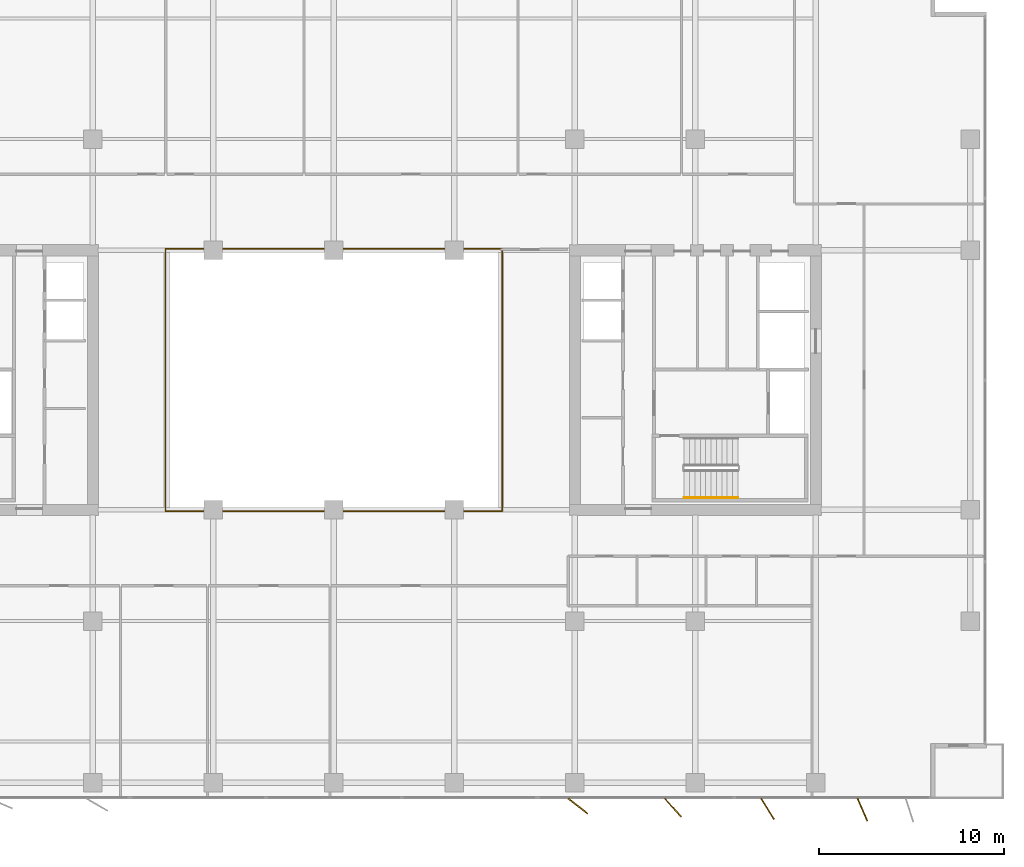
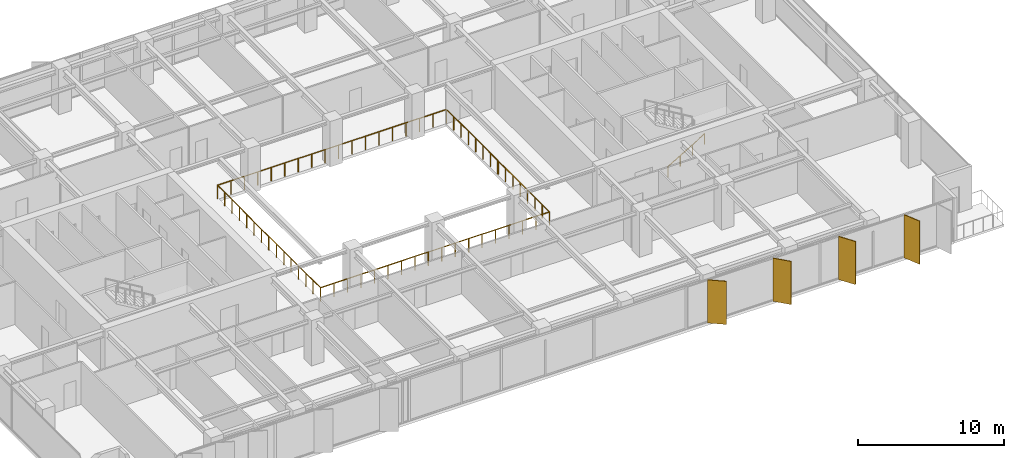
# One storey, part 20 of 22: 4 shading devices, 3 railings.
"""IFC4 building model written with IfcOpenShell, lengths in metres."""

from ifc_helpers import new_model, si_unit, direction, frame, origin, origin_2d, place, context, subcontext, project, spatial, rectangle, circle, extrude, material, layer, layer_set, type_object, element, save


model = new_model("IFC4")

# Units and contexts
model_context = context("Model", 3, precision=1e-05, world=origin(), true_north=direction((0.0, 1.0)))
body_context = subcontext(model_context, "Body", "Model", "MODEL_VIEW")
ifc_project = project(units=[si_unit("LENGTHUNIT", "METRE"), si_unit("AREAUNIT", "SQUARE_METRE"), si_unit("VOLUMEUNIT", "CUBIC_METRE"), si_unit("PLANEANGLEUNIT", "RADIAN"), si_unit("MASSUNIT", "GRAM", prefix="KILO")], contexts=[model_context])

# Site, building, storey
site_placement = place(None, origin())
site = spatial("IfcSite", under=ifc_project, at=site_placement, CompositionType="ELEMENT")
building_placement = place(site_placement, origin())
building = spatial("IfcBuilding", under=site, at=building_placement, Name="Putna Gate Headquarters", CompositionType="ELEMENT")
storey_placement = place(building_placement, frame((0.0, 0.0, 178.39990234375)))
storey = spatial("IfcBuildingStorey", under=building, at=storey_placement, Name="L44", CompositionType="ELEMENT", Elevation=178.39990234375)

# Railings
ifc_material_1 = material(Name="Anodised bronze and laminated glass atrium balustrade", Category="glass")
railing_type_1 = type_object("IfcRailingType", Name="RAIL-ATRIUM-GUARD-1150", PredefinedType="GUARDRAIL", material=ifc_material_1)
railing_1_placement = place(storey_placement, frame((29.919921875, 25.969970703125, 0.0)))
element("IfcRailing", 1, at=railing_1_placement, inside=storey, type_object=railing_type_1, Name="L44 Central Atrium Glazed Balustrade South", PredefinedType="GUARDRAIL", context=body_context, shape_type="SweptSolid", body=[
    extrude(circle(Radius=0.02392578125, at=origin_2d()), frame((0.0, 0.0, 1.1259765625), z_axis=(0.0, -1.0, 0.0), x_axis=(1.0, 0.0, 0.0)), (0.0, 0.0, 1.0), 7.050048828125),
    extrude(circle(Radius=0.02392578125, at=origin_2d()), frame((0.0, -7.050048828125, 1.1259765625), z_axis=(1.0, 0.0, 0.0), x_axis=(0.0, 1.0, 0.0)), (0.0, 0.0, 1.0), 18.16015625),
    extrude(circle(Radius=0.02392578125, at=origin_2d()), frame((18.16015625, -7.050048828125, 1.1259765625), z_axis=(0.0, 1.0, 0.0), x_axis=(-1.0, 0.0, 0.0)), (0.0, 0.0, 1.0), 7.050048828125),
    extrude(circle(Radius=0.02099609375, at=origin_2d()), origin(), (0.0, 0.0, 1.0), 1.101806640625),
    extrude(circle(Radius=0.02099609375, at=origin_2d()), frame((0.0, -1.007080078125, 0.0)), (0.0, 0.0, 1.0), 1.101806640625),
    extrude(circle(Radius=0.02099609375, at=origin_2d()), frame((0.0, -2.014404296875, 0.0)), (0.0, 0.0, 1.0), 1.101806640625),
    extrude(circle(Radius=0.02099609375, at=origin_2d()), frame((0.0, -3.021484375, 0.0)), (0.0, 0.0, 1.0), 1.101806640625),
    extrude(circle(Radius=0.02099609375, at=origin_2d()), frame((0.0, -4.028564453125, 0.0)), (0.0, 0.0, 1.0), 1.101806640625),
    extrude(circle(Radius=0.02099609375, at=origin_2d()), frame((0.0, -5.03564453125, 0.0)), (0.0, 0.0, 1.0), 1.101806640625),
    extrude(circle(Radius=0.02099609375, at=origin_2d()), frame((0.0, -6.04296875, 0.0)), (0.0, 0.0, 1.0), 1.101806640625),
    extrude(circle(Radius=0.02099609375, at=origin_2d()), frame((0.0, -7.050048828125, 0.0)), (0.0, 0.0, 1.0), 1.101806640625),
    extrude(circle(Radius=0.02099609375, at=origin_2d()), frame((1.068359375, -7.050048828125, 0.0)), (0.0, 0.0, 1.0), 1.101806640625),
    extrude(circle(Radius=0.02099609375, at=origin_2d()), frame((2.136474609375, -7.050048828125, 0.0)), (0.0, 0.0, 1.0), 1.101806640625),
    extrude(circle(Radius=0.02099609375, at=origin_2d()), frame((3.204833984375, -7.050048828125, 0.0)), (0.0, 0.0, 1.0), 1.101806640625),
    extrude(circle(Radius=0.02099609375, at=origin_2d()), frame((4.27294921875, -7.050048828125, 0.0)), (0.0, 0.0, 1.0), 1.101806640625),
    extrude(circle(Radius=0.02099609375, at=origin_2d()), frame((5.34130859375, -7.050048828125, 0.0)), (0.0, 0.0, 1.0), 1.101806640625),
    extrude(circle(Radius=0.02099609375, at=origin_2d()), frame((6.409423828125, -7.050048828125, 0.0)), (0.0, 0.0, 1.0), 1.101806640625),
    extrude(circle(Radius=0.02099609375, at=origin_2d()), frame((7.477783203125, -7.050048828125, 0.0)), (0.0, 0.0, 1.0), 1.101806640625),
    extrude(circle(Radius=0.02099609375, at=origin_2d()), frame((8.5458984375, -7.050048828125, 0.0)), (0.0, 0.0, 1.0), 1.101806640625),
    extrude(circle(Radius=0.02099609375, at=origin_2d()), frame((9.6142578125, -7.050048828125, 0.0)), (0.0, 0.0, 1.0), 1.101806640625),
    extrude(circle(Radius=0.02099609375, at=origin_2d()), frame((10.682373046875, -7.050048828125, 0.0)), (0.0, 0.0, 1.0), 1.101806640625),
    extrude(circle(Radius=0.02099609375, at=origin_2d()), frame((11.750732421875, -7.050048828125, 0.0)), (0.0, 0.0, 1.0), 1.101806640625),
    extrude(circle(Radius=0.02099609375, at=origin_2d()), frame((12.81884765625, -7.050048828125, 0.0)), (0.0, 0.0, 1.0), 1.101806640625),
    extrude(circle(Radius=0.02099609375, at=origin_2d()), frame((13.88720703125, -7.050048828125, 0.0)), (0.0, 0.0, 1.0), 1.101806640625),
    extrude(circle(Radius=0.02099609375, at=origin_2d()), frame((14.955322265625, -7.050048828125, 0.0)), (0.0, 0.0, 1.0), 1.101806640625),
    extrude(circle(Radius=0.02099609375, at=origin_2d()), frame((16.023681640625, -7.050048828125, 0.0)), (0.0, 0.0, 1.0), 1.101806640625),
    extrude(circle(Radius=0.02099609375, at=origin_2d()), frame((17.091796875, -7.050048828125, 0.0)), (0.0, 0.0, 1.0), 1.101806640625),
    extrude(circle(Radius=0.02099609375, at=origin_2d()), frame((18.16015625, -7.050048828125, 0.0)), (0.0, 0.0, 1.0), 1.101806640625),
    extrude(circle(Radius=0.02099609375, at=origin_2d()), frame((18.16015625, -6.04296875, 0.0)), (0.0, 0.0, 1.0), 1.101806640625),
    extrude(circle(Radius=0.02099609375, at=origin_2d()), frame((18.16015625, -5.03564453125, 0.0)), (0.0, 0.0, 1.0), 1.101806640625),
    extrude(circle(Radius=0.02099609375, at=origin_2d()), frame((18.16015625, -4.028564453125, 0.0)), (0.0, 0.0, 1.0), 1.101806640625),
    extrude(circle(Radius=0.02099609375, at=origin_2d()), frame((18.16015625, -3.021484375, 0.0)), (0.0, 0.0, 1.0), 1.101806640625),
    extrude(circle(Radius=0.02099609375, at=origin_2d()), frame((18.16015625, -2.014404296875, 0.0)), (0.0, 0.0, 1.0), 1.101806640625),
    extrude(circle(Radius=0.02099609375, at=origin_2d()), frame((18.16015625, -1.007080078125, 0.0)), (0.0, 0.0, 1.0), 1.101806640625),
    extrude(circle(Radius=0.02099609375, at=origin_2d()), frame((18.16015625, 0.0, 0.0)), (0.0, 0.0, 1.0), 1.101806640625),
])
railing_2_placement = place(storey_placement, frame((48.080078125, 26.030029296875, 0.0)))
element("IfcRailing", 2, at=railing_2_placement, inside=storey, type_object=railing_type_1, Name="L44 Central Atrium Glazed Balustrade North", PredefinedType="GUARDRAIL", context=body_context, shape_type="SweptSolid", body=[
    extrude(circle(Radius=0.02392578125, at=origin_2d()), frame((0.0, 0.0, 1.1259765625), z_axis=(0.0, 1.0, 0.0), x_axis=(-1.0, 0.0, 0.0)), (0.0, 0.0, 1.0), 7.050048828125),
    extrude(circle(Radius=0.02392578125, at=origin_2d()), frame((0.0, 7.050048828125, 1.1259765625), z_axis=(-1.0, 0.0, 0.0), x_axis=(0.0, -1.0, 0.0)), (0.0, 0.0, 1.0), 18.16015625),
    extrude(circle(Radius=0.02392578125, at=origin_2d()), frame((-18.16015625, 7.050048828125, 1.1259765625), z_axis=(0.0, -1.0, 0.0), x_axis=(1.0, 0.0, 0.0)), (0.0, 0.0, 1.0), 7.050048828125),
    extrude(circle(Radius=0.02099609375, at=origin_2d()), origin(), (0.0, 0.0, 1.0), 1.101806640625),
    extrude(circle(Radius=0.02099609375, at=origin_2d()), frame((0.0, 1.007080078125, 0.0)), (0.0, 0.0, 1.0), 1.101806640625),
    extrude(circle(Radius=0.02099609375, at=origin_2d()), frame((0.0, 2.014404296875, 0.0)), (0.0, 0.0, 1.0), 1.101806640625),
    extrude(circle(Radius=0.02099609375, at=origin_2d()), frame((0.0, 3.021484375, 0.0)), (0.0, 0.0, 1.0), 1.101806640625),
    extrude(circle(Radius=0.02099609375, at=origin_2d()), frame((0.0, 4.028564453125, 0.0)), (0.0, 0.0, 1.0), 1.101806640625),
    extrude(circle(Radius=0.02099609375, at=origin_2d()), frame((0.0, 5.03564453125, 0.0)), (0.0, 0.0, 1.0), 1.101806640625),
    extrude(circle(Radius=0.02099609375, at=origin_2d()), frame((0.0, 6.04296875, 0.0)), (0.0, 0.0, 1.0), 1.101806640625),
    extrude(circle(Radius=0.02099609375, at=origin_2d()), frame((0.0, 7.050048828125, 0.0)), (0.0, 0.0, 1.0), 1.101806640625),
    extrude(circle(Radius=0.02099609375, at=origin_2d()), frame((-1.068359375, 7.050048828125, 0.0)), (0.0, 0.0, 1.0), 1.101806640625),
    extrude(circle(Radius=0.02099609375, at=origin_2d()), frame((-2.136474609375, 7.050048828125, 0.0)), (0.0, 0.0, 1.0), 1.101806640625),
    extrude(circle(Radius=0.02099609375, at=origin_2d()), frame((-3.204833984375, 7.050048828125, 0.0)), (0.0, 0.0, 1.0), 1.101806640625),
    extrude(circle(Radius=0.02099609375, at=origin_2d()), frame((-4.27294921875, 7.050048828125, 0.0)), (0.0, 0.0, 1.0), 1.101806640625),
    extrude(circle(Radius=0.02099609375, at=origin_2d()), frame((-5.34130859375, 7.050048828125, 0.0)), (0.0, 0.0, 1.0), 1.101806640625),
    extrude(circle(Radius=0.02099609375, at=origin_2d()), frame((-6.409423828125, 7.050048828125, 0.0)), (0.0, 0.0, 1.0), 1.101806640625),
    extrude(circle(Radius=0.02099609375, at=origin_2d()), frame((-7.477783203125, 7.050048828125, 0.0)), (0.0, 0.0, 1.0), 1.101806640625),
    extrude(circle(Radius=0.02099609375, at=origin_2d()), frame((-8.5458984375, 7.050048828125, 0.0)), (0.0, 0.0, 1.0), 1.101806640625),
    extrude(circle(Radius=0.02099609375, at=origin_2d()), frame((-9.6142578125, 7.050048828125, 0.0)), (0.0, 0.0, 1.0), 1.101806640625),
    extrude(circle(Radius=0.02099609375, at=origin_2d()), frame((-10.682373046875, 7.050048828125, 0.0)), (0.0, 0.0, 1.0), 1.101806640625),
    extrude(circle(Radius=0.02099609375, at=origin_2d()), frame((-11.750732421875, 7.050048828125, 0.0)), (0.0, 0.0, 1.0), 1.101806640625),
    extrude(circle(Radius=0.02099609375, at=origin_2d()), frame((-12.81884765625, 7.050048828125, 0.0)), (0.0, 0.0, 1.0), 1.101806640625),
    extrude(circle(Radius=0.02099609375, at=origin_2d()), frame((-13.88720703125, 7.050048828125, 0.0)), (0.0, 0.0, 1.0), 1.101806640625),
    extrude(circle(Radius=0.02099609375, at=origin_2d()), frame((-14.955322265625, 7.050048828125, 0.0)), (0.0, 0.0, 1.0), 1.101806640625),
    extrude(circle(Radius=0.02099609375, at=origin_2d()), frame((-16.023681640625, 7.050048828125, 0.0)), (0.0, 0.0, 1.0), 1.101806640625),
    extrude(circle(Radius=0.02099609375, at=origin_2d()), frame((-17.091796875, 7.050048828125, 0.0)), (0.0, 0.0, 1.0), 1.101806640625),
    extrude(circle(Radius=0.02099609375, at=origin_2d()), frame((-18.16015625, 7.050048828125, 0.0)), (0.0, 0.0, 1.0), 1.101806640625),
    extrude(circle(Radius=0.02099609375, at=origin_2d()), frame((-18.16015625, 6.04296875, 0.0)), (0.0, 0.0, 1.0), 1.101806640625),
    extrude(circle(Radius=0.02099609375, at=origin_2d()), frame((-18.16015625, 5.03564453125, 0.0)), (0.0, 0.0, 1.0), 1.101806640625),
    extrude(circle(Radius=0.02099609375, at=origin_2d()), frame((-18.16015625, 4.028564453125, 0.0)), (0.0, 0.0, 1.0), 1.101806640625),
    extrude(circle(Radius=0.02099609375, at=origin_2d()), frame((-18.16015625, 3.021484375, 0.0)), (0.0, 0.0, 1.0), 1.101806640625),
    extrude(circle(Radius=0.02099609375, at=origin_2d()), frame((-18.16015625, 2.014404296875, 0.0)), (0.0, 0.0, 1.0), 1.101806640625),
    extrude(circle(Radius=0.02099609375, at=origin_2d()), frame((-18.16015625, 1.007080078125, 0.0)), (0.0, 0.0, 1.0), 1.101806640625),
    extrude(circle(Radius=0.02099609375, at=origin_2d()), frame((-18.16015625, 0.0, 0.0)), (0.0, 0.0, 1.0), 1.101806640625),
])
ifc_material_2 = material(Name="Brushed stainless steel handrail", Category="steel")
railing_type_2 = type_object("IfcRailingType", Name="RAIL-STAIR-HAND-900", PredefinedType="HANDRAIL", material=ifc_material_2)
railing_3_placement = place(storey_placement, frame((57.89990234375, 19.64990234375, 0.1728515625)))
element("IfcRailing", 3, at=railing_3_placement, inside=storey, type_object=railing_type_2, Name="L44 ST2 stair handrail 1", PredefinedType="HANDRAIL", context=body_context, shape_type="SweptSolid", body=[
    extrude(circle(Radius=0.02392578125, at=origin_2d()), frame((0.0, 0.0, 0.8759765625), z_axis=(0.859160404282, 0.0, 0.51170636083), x_axis=(0.0, 1.0, 0.0)), (0.0, 0.0, 1.0), 3.37548828125),
    extrude(circle(Radius=0.02099609375, at=origin_2d()), origin(), (0.0, 0.0, 1.0), 0.851806640625),
    extrude(circle(Radius=0.02099609375, at=origin_2d()), frame((0.966796875, 0.0, 0.57568359375)), (0.0, 0.0, 1.0), 0.851806640625),
    extrude(circle(Radius=0.02099609375, at=origin_2d()), frame((1.933349609375, 0.0, 1.151611328125)), (0.0, 0.0, 1.0), 0.851806640625),
    extrude(circle(Radius=0.02099609375, at=origin_2d()), frame((2.900146484375, 0.0, 1.727294921875)), (0.0, 0.0, 1.0), 0.851806640625),
])

# Shading devices
ifc_material_3 = material(Name="Anodised architectural bronze aluminium fin", Category="aluminium")
ifc_layer = layer(ifc_material_3, 0.06494140625)
ifc_layer_set = layer_set([ifc_layer], Name="Anodised architectural bronze aluminium fin")
shading_device_type = type_object("IfcShadingDeviceType", Name="SHADE-BRONZE-FIN-1320", PredefinedType="USERDEFINED", material=ifc_layer_set)
for number, where, z_axis, x_axis, name in (
    (4, (52.169677734375, 3.018310546875, -0.02001953125), (0.0, 0.0, 1.0), (0.787473187632, -0.616348909921, 0.0), "L44 Bronze Vertical Shading Fin S7"),
    (5, (57.29150390625, 2.9345703125, -0.02001953125), (0.0, 0.0, 1.0), (0.669130606359, -0.743144825477, 0.0), "L44 Bronze Vertical Shading Fin S8"),
    (6, (62.400146484375, 2.865478515625, -0.02001953125), (0.0, 0.0, 1.0), (0.530659123936, -0.847585331506, 0.0), "L44 Bronze Vertical Shading Fin S9"),
    (7, (67.514404296875, 2.8203125, -0.02001953125), (0.0, 0.0, 1.0), (0.400668879095, -0.916222925562, 0.0), "L44 Bronze Vertical Shading Fin S10"),
):
    element("IfcShadingDevice", number, at=place(storey_placement, frame(where, z_axis=z_axis, x_axis=x_axis)), inside=storey, type_object=shading_device_type, Name=name, ObjectType="FIN", PredefinedType="USERDEFINED", context=body_context, shape_type="SweptSolid", body=[
        extrude(rectangle(XDim=1.320068359375, YDim=0.06494140625, at=origin_2d()), origin(), (0.0, 0.0, 1.0), 3.612060546875),
    ])

save(model, "model.ifc")
